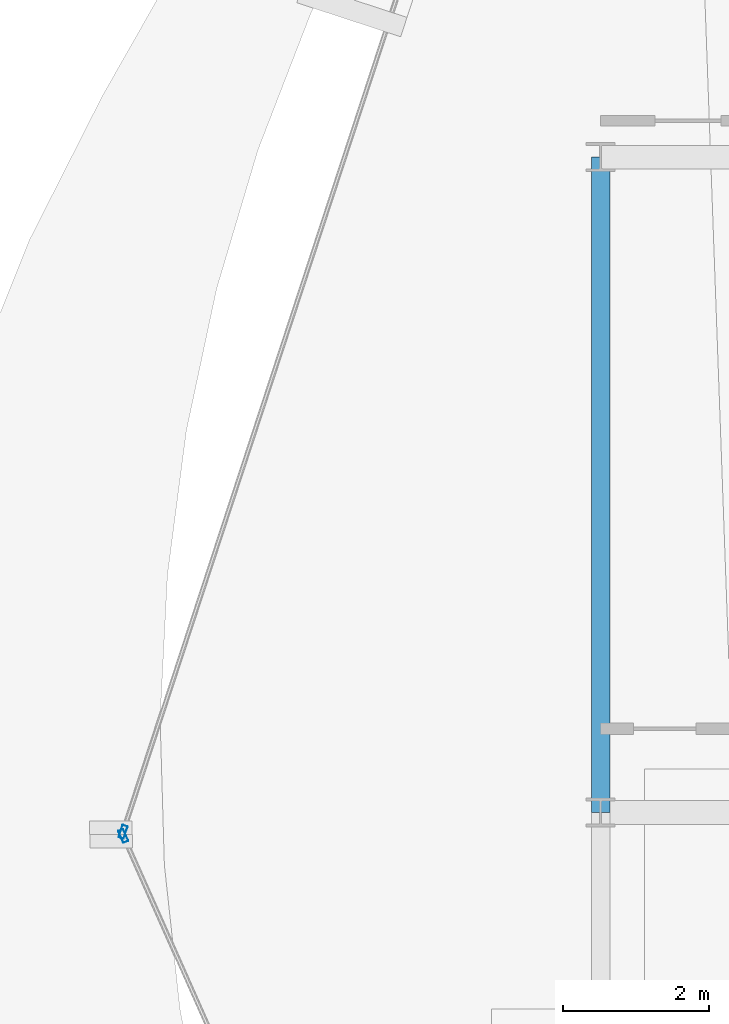
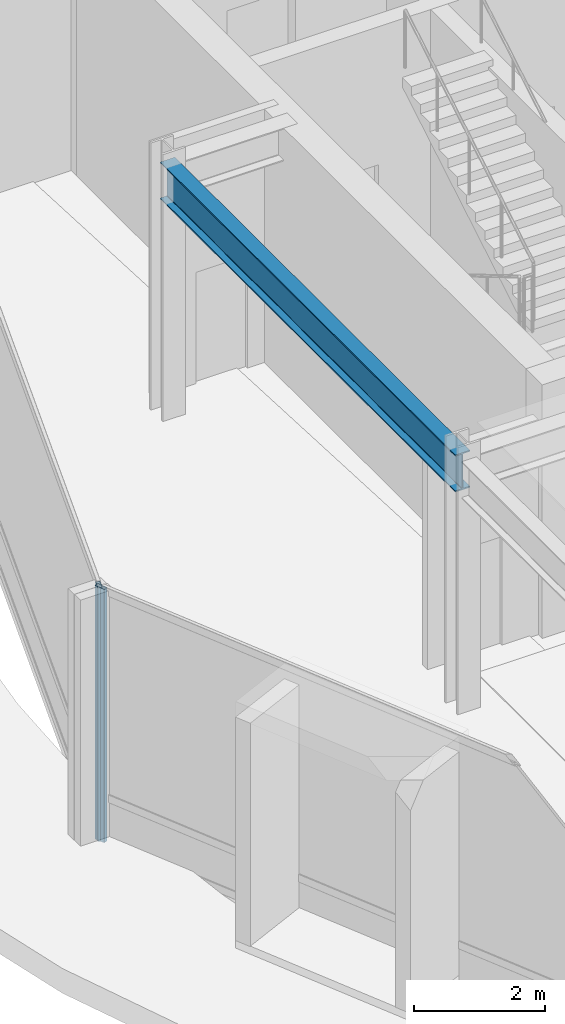
# One storey, part 6 of 28: 2 members, 1 beam, 2 elements without a shape of their own.
"""IFC4 building model written with IfcOpenShell, lengths in metres."""

from ifc_helpers import new_model, si_unit, direction, frame, origin, origin_2d, place, context, subcontext, project, spatial, hollow_rectangle, i_section, extrude, material, layer, layer_set, material_profile, profile_set, type_object, element, aggregate, save


model = new_model("IFC4")

# Units and contexts
model_context = context("Model", 3, precision=1e-05, world=origin(), true_north=direction((0.0, 1.0)))
body_context = subcontext(model_context, "Body", "Model", "MODEL_VIEW")
ifc_project = project(units=[si_unit("LENGTHUNIT", "METRE"), si_unit("AREAUNIT", "SQUARE_METRE"), si_unit("VOLUMEUNIT", "CUBIC_METRE"), si_unit("PLANEANGLEUNIT", "RADIAN"), si_unit("MASSUNIT", "GRAM", prefix="KILO")], contexts=[model_context])

# Site, building, storey
site_placement = place(None, origin())
site = spatial("IfcSite", under=ifc_project, at=site_placement, CompositionType="ELEMENT")
building_placement = place(site_placement, origin())
building = spatial("IfcBuilding", under=site, at=building_placement, Name="Solvaryn Broadcast Tower", CompositionType="ELEMENT")
storey_placement = place(building_placement, frame((0.0, 0.0, 201.199951171875)))
storey = spatial("IfcBuildingStorey", under=building, at=storey_placement, Name="L50", CompositionType="ELEMENT", Elevation=201.199951171875)

# Beam
ifc_material_1 = material(Name="Steel ASTM A992 Grade 50", Category="steel")
ifc_material_profile_1 = material_profile(ifc_material_1, i_section(OverallWidth=0.256103515625, OverallDepth=0.693115234375, WebThickness=0.014404296875, FlangeThickness=0.023681640625, FilletRadius=0.01611328125, at=origin_2d()))
ifc_profile_set_1 = profile_set([ifc_material_profile_1], Name="Steel ASTM A992 Grade 50")
beam_type = type_object("IfcBeamType", Name="BM-SP3-W27X114", PredefinedType="USERDEFINED", material=ifc_profile_set_1)
beam_placement = place(storey_placement, frame((9.0, 27.0, 4.37353515625), z_axis=(0.0, 1.0, 0.0), x_axis=(-1.0, 0.0, 0.0)))
element("IfcBeam", 1, at=beam_placement, inside=storey, type_object=beam_type, Name="L50 Spandrel Beam Y (27-36 @ X=9)", ObjectType="SPANDREL", PredefinedType="USERDEFINED", context=body_context, shape_type="SweptSolid", body=[
    extrude(i_section(OverallWidth=0.256103515625, OverallDepth=0.693115234375, WebThickness=0.014404296875, FlangeThickness=0.023681640625, FilletRadius=0.01611328125, at=origin_2d()), origin(), (0.0, 0.0, 1.0), 9.0),
])

# Curtain wall, member
ifc_material_2 = material(Name="Aluminium and Terracotta Unitised Curtain Wall", Category="masonry")
ifc_layer = layer(ifc_material_2, 0.199951171875)
ifc_layer_set = layer_set([ifc_layer], Name="CW-SYS2-LOWMID")
curtain_wall_type = type_object("IfcCurtainWallType", Name="CW-SYS2-LOWMID", PredefinedType="NOTDEFINED", material=ifc_layer_set)
curtain_wall_1_placement = place(storey_placement, origin())
curtain_wall_1 = element("IfcCurtainWall", 2, at=curtain_wall_1_placement, inside=storey, type_object=curtain_wall_type, Name="L50 Curtain Wall DR1", PredefinedType="NOTDEFINED")
ifc_material_3 = material(Name="Anodised Aluminium 6063-T6", Category="aluminium")
ifc_material_profile_2 = material_profile(ifc_material_3, hollow_rectangle(XDim=0.074951171875, YDim=0.179931640625, WallThickness=0.00390625, InnerFilletRadius=0.00390625, OuterFilletRadius=0.008056640625, at=origin_2d()))
ifc_profile_set_2 = profile_set([ifc_material_profile_2], Name="Anodised Aluminium 6063-T6")
member_type = type_object("IfcMemberType", Name="CW-MUL-180", PredefinedType="MULLION", material=ifc_profile_set_2)
member_1_placement = place(storey_placement, frame((2.4423828125, 26.734619140625, 0.0), z_axis=(0.0, 0.0, 1.0), x_axis=(0.950226902099, -0.311558717623, 0.0)))
member_1 = element("IfcMember", 3, at=member_1_placement, type_object=member_type, Name="CWS2 mullion 2", PredefinedType="MULLION", context=body_context, shape_type="SweptSolid", body=[
    extrude(hollow_rectangle(XDim=0.074951171875, YDim=0.179931640625, WallThickness=0.00390625, InnerFilletRadius=0.00390625, OuterFilletRadius=0.008056640625, at=origin_2d()), origin(), (0.0, 0.0, 1.0), 4.719970703125),
])
aggregate(curtain_wall_1, [member_1])

curtain_wall_2_placement = place(storey_placement, origin())
curtain_wall_2 = element("IfcCurtainWall", 4, at=curtain_wall_2_placement, inside=storey, type_object=curtain_wall_type, Name="L50 Curtain Wall DR2", PredefinedType="NOTDEFINED")
member_2_placement = place(storey_placement, frame((2.445068359375, 26.678466796875, 0.0), z_axis=(0.0, 0.0, 1.0), x_axis=(0.913916902365, 0.405901337237, 0.0)))
member_2 = element("IfcMember", 5, at=member_2_placement, type_object=member_type, Name="CWS2 mullion 1", PredefinedType="MULLION", context=body_context, shape_type="SweptSolid", body=[
    extrude(hollow_rectangle(XDim=0.074951171875, YDim=0.179931640625, WallThickness=0.00390625, InnerFilletRadius=0.00390625, OuterFilletRadius=0.008056640625, at=origin_2d()), origin(), (0.0, 0.0, 1.0), 4.719970703125),
])
aggregate(curtain_wall_2, [member_2])

save(model, "model.ifc")
